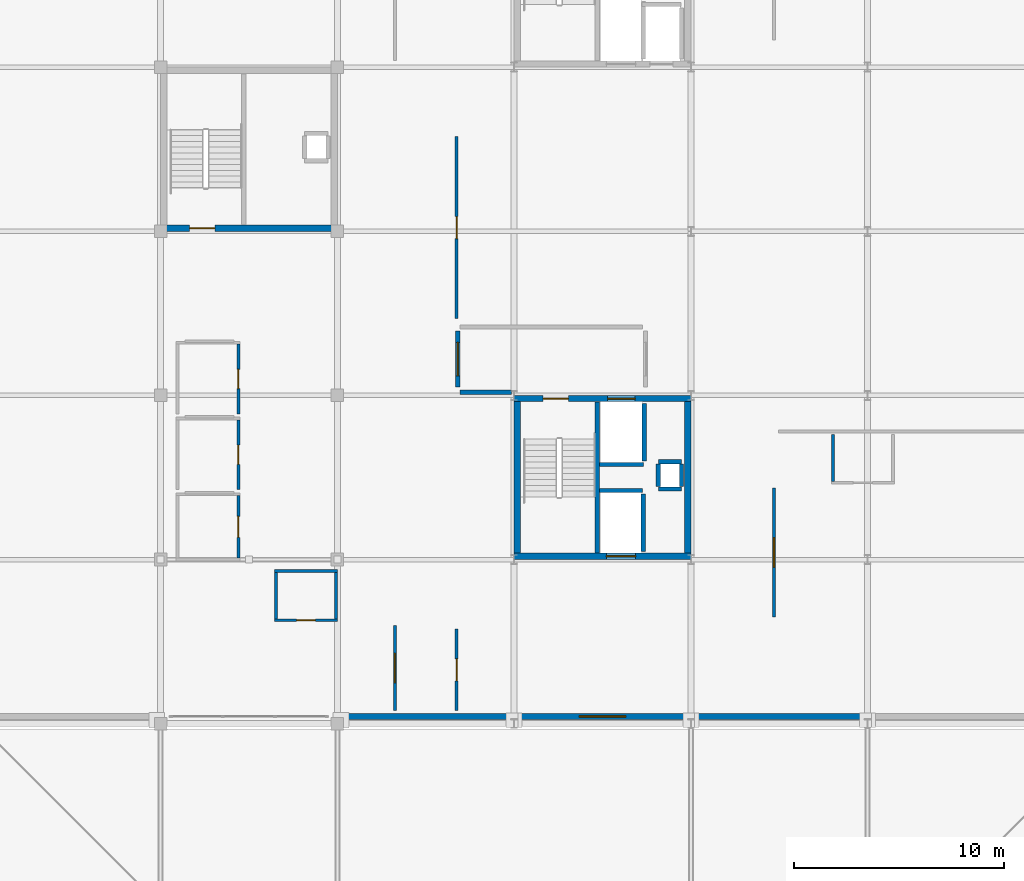
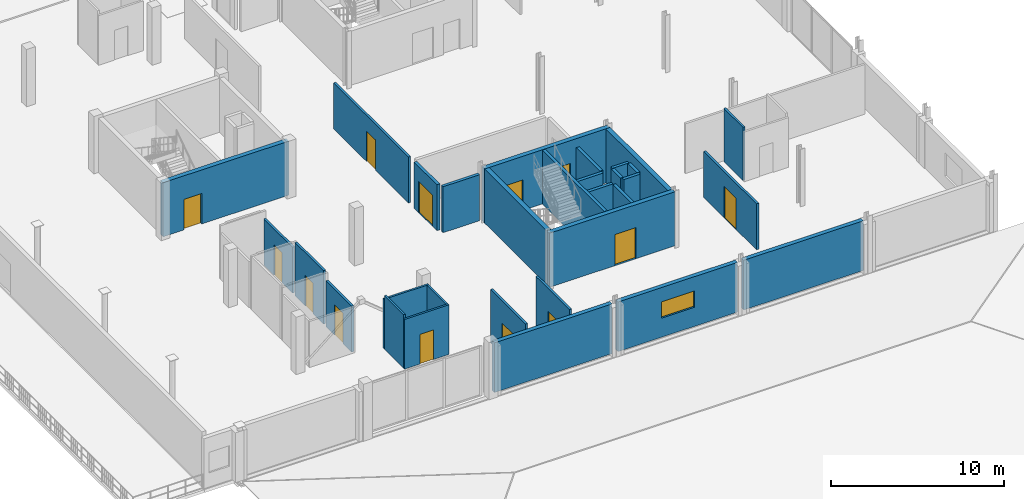
# One storey, part 16 of 25: 31 walls, 13 doors, 1 window, 14 openings.
"""IFC4 building model written with IfcOpenShell, lengths in metres."""

from ifc_helpers import new_model, si_unit, direction, frame, frame_2d, origin, place, context, subcontext, project, spatial, rectangle, extrude, material, layer, layer_set, type_object, element, fill, save


model = new_model("IFC4")

# Units and contexts
model_context = context("Model", 3, precision=1e-05, world=origin(), true_north=direction((0.0, 1.0)))
body_context = subcontext(model_context, "Body", "Model", "MODEL_VIEW")
ifc_project = project(units=[si_unit("LENGTHUNIT", "METRE"), si_unit("AREAUNIT", "SQUARE_METRE"), si_unit("VOLUMEUNIT", "CUBIC_METRE"), si_unit("PLANEANGLEUNIT", "RADIAN"), si_unit("MASSUNIT", "GRAM", prefix="KILO")], contexts=[model_context])

# Site, building, storey
site_placement = place(None, origin())
site = spatial("IfcSite", under=ifc_project, at=site_placement, CompositionType="ELEMENT")
building_placement = place(site_placement, origin())
building = spatial("IfcBuilding", under=site, at=building_placement, Name="Nabrawat Pavilion Hospital", CompositionType="ELEMENT")
storey_placement = place(building_placement, frame((0.0, 0.0, 22.949951171875)))
storey = spatial("IfcBuildingStorey", under=building, at=storey_placement, Name="L05", CompositionType="ELEMENT", Elevation=22.949951171875)

# Wall, opening, door
ifc_material_1 = material(Name="Gypsum Fireboard on Steel Stud", Category="steel")
ifc_layer_1 = layer(ifc_material_1, 0.14990234375, Name="Gypsum Fireboard on Steel Stud")
ifc_layer_set_1 = layer_set([ifc_layer_1], Name="Gypsum Fireboard on Steel Stud")
wall_type_1 = type_object("IfcWallType", Name="Clinical Corridor Smoke-Barrier Wall 150", PredefinedType="PARTITIONING", material=ifc_layer_set_1)
wall_1_placement = place(storey_placement, frame((154.89990234375, 46.864990234375, 0.0), z_axis=(0.0, 0.0, 1.0), x_axis=(0.0, 1.0, 0.0)))
wall_1 = element("IfcWall", 1, at=wall_1_placement, inside=storey, type_object=wall_type_1, Name="L05 L05 Accessible WC Front Partition", PredefinedType="PARTITIONING", context=body_context, shape_type="SweptSolid", body=[
    extrude(rectangle(XDim=2.969970703125, YDim=0.14990234375, at=frame_2d((1.48486328125, 0.0))), origin(), (0.0, 0.0, 1.0), 3.25),
])
opening_1_placement = place(wall_1_placement, frame((0.985107421875, 0.0, 0.0)))
opening_1 = element("IfcOpeningElement", 2, at=opening_1_placement, cuts=wall_1, Name="Opening D-WC-ACC", PredefinedType="OPENING", context=body_context, shape_type="SweptSolid", body=[
    extrude(rectangle(XDim=1.0, YDim=2.14990234375, at=frame_2d((0.5, 1.074951171875))), frame((0.0, 0.0849609375, 0.0), z_axis=(0.0, -1.0, 0.0), x_axis=(1.0, 0.0, 0.0)), (0.0, 0.0, 1.0), 0.169921875),
])
ifc_material_2 = material(Name="Stainless-Clad Acoustic Timber and Vision Glass", Category="wood")
door_type_1 = type_object("IfcDoorType", Name="Accessible Washroom Outward Door 1000x2150", OperationType="NOTDEFINED", PredefinedType="DOOR", material=ifc_material_2)
door_1_placement = place(opening_1_placement, origin())
door_1 = element("IfcDoor", 3, at=door_1_placement, inside=storey, type_object=door_type_1, Name="L05 Accessible WC Door", OperationType="SINGLE_SWING_LEFT", OverallHeight=2.14990234375, OverallWidth=1.0, PredefinedType="DOOR", context=body_context, shape_type="SweptSolid", body=[
    extrude(rectangle(XDim=1.0, YDim=2.14990234375, at=frame_2d((0.5, 1.074951171875))), frame((0.0, 0.02490234375, 0.0), z_axis=(0.0, -1.0, 0.0), x_axis=(1.0, 0.0, 0.0)), (0.0, 0.0, 1.0), 0.050048828125),
])
fill(opening_1, door_1)

wall_2_placement = place(storey_placement, frame((154.89990234375, 50.125, 0.0), z_axis=(0.0, 0.0, 1.0), x_axis=(0.0, 1.0, 0.0)))
wall_2 = element("IfcWall", 4, at=wall_2_placement, inside=storey, type_object=wall_type_1, Name="L05 L05 Visitor Female Washroom Front Partition", PredefinedType="PARTITIONING", context=body_context, shape_type="SweptSolid", body=[
    extrude(rectangle(XDim=3.31005859375, YDim=0.14990234375, at=frame_2d((1.655029296875, 0.0))), origin(), (0.0, 0.0, 1.0), 3.77001953125),
])
opening_2_placement = place(wall_2_placement, frame((1.195068359375, 0.0, 0.0)))
opening_2 = element("IfcOpeningElement", 5, at=opening_2_placement, cuts=wall_2, Name="Opening D-WC-STD", PredefinedType="OPENING", context=body_context, shape_type="SweptSolid", body=[
    extrude(rectangle(XDim=0.919921875, YDim=2.14990234375, at=frame_2d((0.4599609375, 1.074951171875))), frame((0.0, 0.0849609375, 0.0), z_axis=(0.0, -1.0, 0.0), x_axis=(1.0, 0.0, 0.0)), (0.0, 0.0, 1.0), 0.169921875),
])
door_type_2 = type_object("IfcDoorType", Name="Washroom Lobby Privacy Door 920x2150", OperationType="NOTDEFINED", PredefinedType="DOOR", material=ifc_material_2)
door_2_placement = place(opening_2_placement, origin())
door_2 = element("IfcDoor", 6, at=door_2_placement, inside=storey, type_object=door_type_2, Name="L05 Visitor Female Washroom Door", OperationType="SINGLE_SWING_RIGHT", OverallHeight=2.14990234375, OverallWidth=0.919921875, PredefinedType="DOOR", context=body_context, shape_type="SweptSolid", body=[
    extrude(rectangle(XDim=0.919921875, YDim=2.14990234375, at=frame_2d((0.4599609375, 1.074951171875))), frame((0.0, 0.02490234375, 0.0), z_axis=(0.0, -1.0, 0.0), x_axis=(1.0, 0.0, 0.0)), (0.0, 0.0, 1.0), 0.050048828125),
])
fill(opening_2, door_2)

wall_3_placement = place(storey_placement, frame((154.89990234375, 53.72509765625, 0.0), z_axis=(0.0, 0.0, 1.0), x_axis=(0.0, 1.0, 0.0)))
wall_3 = element("IfcWall", 7, at=wall_3_placement, inside=storey, type_object=wall_type_1, Name="L05 L05 Visitor Male Washroom Front Partition", PredefinedType="PARTITIONING", context=body_context, shape_type="SweptSolid", body=[
    extrude(rectangle(XDim=3.309814453125, YDim=0.14990234375, at=frame_2d((1.65478515625, 0.0))), origin(), (0.0, 0.0, 1.0), 3.25),
])
opening_3_placement = place(wall_3_placement, frame((1.195068359375, 0.0, 0.0)))
opening_3 = element("IfcOpeningElement", 8, at=opening_3_placement, cuts=wall_3, Name="Opening D-WC-STD", PredefinedType="OPENING", context=body_context, shape_type="SweptSolid", body=[
    extrude(rectangle(XDim=0.919921875, YDim=2.14990234375, at=frame_2d((0.4599609375, 1.074951171875))), frame((0.0, 0.0849609375, 0.0), z_axis=(0.0, -1.0, 0.0), x_axis=(1.0, 0.0, 0.0)), (0.0, 0.0, 1.0), 0.169921875),
])
door_3_placement = place(opening_3_placement, origin())
door_3 = element("IfcDoor", 9, at=door_3_placement, inside=storey, type_object=door_type_2, Name="L05 Visitor Male Washroom Door", OperationType="SINGLE_SWING_LEFT", OverallHeight=2.14990234375, OverallWidth=0.919921875, PredefinedType="DOOR", context=body_context, shape_type="SweptSolid", body=[
    extrude(rectangle(XDim=0.919921875, YDim=2.14990234375, at=frame_2d((0.4599609375, 1.074951171875))), frame((0.0, 0.02490234375, 0.0), z_axis=(0.0, -1.0, 0.0), x_axis=(1.0, 0.0, 0.0)), (0.0, 0.0, 1.0), 0.050048828125),
])
fill(opening_3, door_3)

wall_4_placement = place(storey_placement, frame((162.3349609375, 39.6201171875, 0.0), z_axis=(0.0, 0.0, 1.0), x_axis=(0.0, 1.0, 0.0)))
wall_4 = element("IfcWall", 10, at=wall_4_placement, inside=storey, type_object=wall_type_1, Name="L05 Inpatient Ward Haematology Single Bedroom L05-01 Front Partition", PredefinedType="PARTITIONING", context=body_context, shape_type="SweptSolid", body=[
    extrude(rectangle(XDim=4.0498046875, YDim=0.14990234375, at=frame_2d((2.02490234375, 0.0))), origin(), (0.0, 0.0, 1.0), 3.77001953125),
])
opening_4_placement = place(wall_4_placement, frame((1.324951171875, 0.0, 0.0)))
opening_4 = element("IfcOpeningElement", 11, at=opening_4_placement, cuts=wall_4, Name="Opening D-BED", PredefinedType="OPENING", context=body_context, shape_type="SweptSolid", body=[
    extrude(rectangle(XDim=1.39990234375, YDim=2.199951171875, at=frame_2d((0.699951171875, 1.10009765625))), frame((0.0, 0.0849609375, 0.0), z_axis=(0.0, -1.0, 0.0), x_axis=(1.0, 0.0, 0.0)), (0.0, 0.0, 1.0), 0.169921875),
])
door_type_3 = type_object("IfcDoorType", Name="D-BED Inpatient Ward Leaf-and-a-Half Door 1400x2200", OperationType="NOTDEFINED", PredefinedType="DOOR", material=ifc_material_2)
door_4_placement = place(opening_4_placement, origin())
door_4 = element("IfcDoor", 12, at=door_4_placement, inside=storey, type_object=door_type_3, Name="Inpatient Ward Haematology Single Bedroom L05-01 Door", OperationType="SINGLE_SWING_RIGHT", OverallHeight=2.199951171875, OverallWidth=1.39990234375, PredefinedType="DOOR", context=body_context, shape_type="SweptSolid", body=[
    extrude(rectangle(XDim=1.39990234375, YDim=2.199951171875, at=frame_2d((0.699951171875, 1.10009765625))), frame((0.0, 0.02490234375, 0.0), z_axis=(0.0, -1.0, 0.0), x_axis=(1.0, 0.0, 0.0)), (0.0, 0.0, 1.0), 0.050048828125),
])
fill(opening_4, door_4)

wall_5_placement = place(storey_placement, frame((165.264892578125, 39.6201171875, 0.0), z_axis=(0.0, 0.0, 1.0), x_axis=(0.0, 1.0, 0.0)))
wall_5 = element("IfcWall", 13, at=wall_5_placement, inside=storey, type_object=wall_type_1, Name="L05 Patient Quiet Terrace Dayroom L05-03 Front Partition", PredefinedType="PARTITIONING", context=body_context, shape_type="SweptSolid", body=[
    extrude(rectangle(XDim=3.8798828125, YDim=0.14990234375, at=frame_2d((1.93994140625, 0.0))), origin(), (0.0, 0.0, 1.0), 3.77001953125),
])
opening_5_placement = place(wall_5_placement, frame((1.4150390625, 0.0, 0.0)))
opening_5 = element("IfcOpeningElement", 14, at=opening_5_placement, cuts=wall_5, Name="Opening D-OPC-L", PredefinedType="OPENING", context=body_context, shape_type="SweptSolid", body=[
    extrude(rectangle(XDim=1.050048828125, YDim=2.14990234375, at=frame_2d((0.52490234375, 1.074951171875))), frame((0.0, 0.0849609375, 0.0), z_axis=(0.0, -1.0, 0.0), x_axis=(1.0, 0.0, 0.0)), (0.0, 0.0, 1.0), 0.169921875),
])
door_type_4 = type_object("IfcDoorType", Name="Outpatient Clinic Consultation Door L 1050x2150", OperationType="NOTDEFINED", PredefinedType="DOOR", material=ifc_material_2)
door_5_placement = place(opening_5_placement, origin())
door_5 = element("IfcDoor", 15, at=door_5_placement, inside=storey, type_object=door_type_4, Name="Patient Quiet Terrace Dayroom L05-03 Door", OperationType="SINGLE_SWING_RIGHT", OverallHeight=2.14990234375, OverallWidth=1.050048828125, PredefinedType="DOOR", context=body_context, shape_type="SweptSolid", body=[
    extrude(rectangle(XDim=1.050048828125, YDim=2.14990234375, at=frame_2d((0.52490234375, 1.074951171875))), frame((0.0, 0.02490234375, 0.0), z_axis=(0.0, -1.0, 0.0), x_axis=(1.0, 0.0, 0.0)), (0.0, 0.0, 1.0), 0.050048828125),
])
fill(opening_5, door_5)

wall_6_placement = place(storey_placement, frame((165.264892578125, 58.25, 0.0), z_axis=(0.0, 0.0, 1.0), x_axis=(0.0, 1.0, 0.0)))
wall_6 = element("IfcWall", 16, at=wall_6_placement, inside=storey, type_object=wall_type_1, Name="L05 South Haematology Nurse Station L05-04 Front Partition", PredefinedType="PARTITIONING", context=body_context, shape_type="SweptSolid", body=[
    extrude(rectangle(XDim=8.64990234375, YDim=0.14990234375, at=frame_2d((4.324951171875, 0.0))), origin(), (0.0, 0.0, 1.0), 3.25),
])
opening_6_placement = place(wall_6_placement, frame((3.800048828125, 0.0, 0.0)))
opening_6 = element("IfcOpeningElement", 17, at=opening_6_placement, cuts=wall_6, Name="Opening D-OPC-R", PredefinedType="OPENING", context=body_context, shape_type="SweptSolid", body=[
    extrude(rectangle(XDim=1.050048828125, YDim=2.14990234375, at=frame_2d((0.52490234375, 1.074951171875))), frame((0.0, 0.0849609375, 0.0), z_axis=(0.0, -1.0, 0.0), x_axis=(1.0, 0.0, 0.0)), (0.0, 0.0, 1.0), 0.169921875),
])
door_type_5 = type_object("IfcDoorType", Name="Outpatient Clinic Consultation Door R 1050x2150", OperationType="NOTDEFINED", PredefinedType="DOOR", material=ifc_material_2)
door_6_placement = place(opening_6_placement, origin())
door_6 = element("IfcDoor", 18, at=door_6_placement, inside=storey, type_object=door_type_5, Name="South Haematology Nurse Station L05-04 Door", OperationType="SINGLE_SWING_LEFT", OverallHeight=2.14990234375, OverallWidth=1.050048828125, PredefinedType="DOOR", context=body_context, shape_type="SweptSolid", body=[
    extrude(rectangle(XDim=1.050048828125, YDim=2.14990234375, at=frame_2d((0.52490234375, 1.074951171875))), frame((0.0, 0.02490234375, 0.0), z_axis=(0.0, -1.0, 0.0), x_axis=(1.0, 0.0, 0.0)), (0.0, 0.0, 1.0), 0.050048828125),
])
fill(opening_6, door_6)

wall_7_placement = place(storey_placement, frame((180.35009765625, 44.080078125, 0.0), z_axis=(0.0, 0.0, 1.0), x_axis=(0.0, 1.0, 0.0)))
wall_7 = element("IfcWall", 19, at=wall_7_placement, inside=storey, type_object=wall_type_1, Name="L05 Inpatient Ward Oncology Boulevard Suite L05-E1 Front Partition", PredefinedType="PARTITIONING", context=body_context, shape_type="SweptSolid", body=[
    extrude(rectangle(XDim=6.1298828125, YDim=0.14990234375, at=frame_2d((3.06494140625, 0.0))), origin(), (0.0, 0.0, 1.0), 3.25),
])
opening_7_placement = place(wall_7_placement, frame((2.364990234375, 0.0, 0.0)))
opening_7 = element("IfcOpeningElement", 20, at=opening_7_placement, cuts=wall_7, Name="Opening D-BED", PredefinedType="OPENING", context=body_context, shape_type="SweptSolid", body=[
    extrude(rectangle(XDim=1.39990234375, YDim=2.199951171875, at=frame_2d((0.699951171875, 1.10009765625))), frame((0.0, 0.0849609375, 0.0), z_axis=(0.0, -1.0, 0.0), x_axis=(1.0, 0.0, 0.0)), (0.0, 0.0, 1.0), 0.169921875),
])
door_7_placement = place(opening_7_placement, origin())
door_7 = element("IfcDoor", 21, at=door_7_placement, inside=storey, type_object=door_type_3, Name="Inpatient Ward Oncology Boulevard Suite L05-E1 Door", OperationType="SINGLE_SWING_RIGHT", OverallHeight=2.199951171875, OverallWidth=1.39990234375, PredefinedType="DOOR", context=body_context, shape_type="SweptSolid", body=[
    extrude(rectangle(XDim=1.39990234375, YDim=2.199951171875, at=frame_2d((0.699951171875, 1.10009765625))), frame((0.0, 0.02490234375, 0.0), z_axis=(0.0, -1.0, 0.0), x_axis=(1.0, 0.0, 0.0)), (0.0, 0.0, 1.0), 0.050048828125),
])
fill(opening_7, door_7)

ifc_material_3 = material(Name="Cement Board on Steel Stud", Category="steel")
ifc_layer_2 = layer(ifc_material_3, 0.1298828125, Name="Cement Board on Steel Stud")
ifc_layer_set_2 = layer_set([ifc_layer_2], Name="Cement Board on Steel Stud")
wall_type_2 = type_object("IfcWallType", Name="En-Suite Moisture-Resistant Partition 130", PredefinedType="PARTITIONING", material=ifc_layer_set_2)
wall_8_placement = place(storey_placement, frame((156.6201171875, 43.909912109375, 0.0), z_axis=(0.0, 0.0, 1.0), x_axis=(1.0, 0.0, 0.0)))
wall_8 = element("IfcWall", 22, at=wall_8_placement, inside=storey, type_object=wall_type_2, Name="L05 En-Suite Bathroom WRD-HEM-01 Front Partition", PredefinedType="PARTITIONING", context=body_context, shape_type="SweptSolid", body=[
    extrude(rectangle(XDim=2.97998046875, YDim=0.1298828125, at=frame_2d((1.489990234375, 0.0))), origin(), (0.0, 0.0, 1.0), 3.510009765625),
])
opening_8_placement = place(wall_8_placement, frame((1.0400390625, 0.0, 0.0)))
opening_8 = element("IfcOpeningElement", 23, at=opening_8_placement, cuts=wall_8, Name="Opening D-ENS-R", PredefinedType="OPENING", context=body_context, shape_type="SweptSolid", body=[
    extrude(rectangle(XDim=0.89990234375, YDim=2.10009765625, at=frame_2d((0.449951171875, 1.050048828125))), frame((0.0, 0.074951171875, 0.0), z_axis=(0.0, -1.0, 0.0), x_axis=(1.0, 0.0, 0.0)), (0.0, 0.0, 1.0), 0.14990234375),
])
door_type_6 = type_object("IfcDoorType", Name="En-Suite Bathroom Outward Door R 900x2100", OperationType="NOTDEFINED", PredefinedType="DOOR", material=ifc_material_2)
door_8_placement = place(opening_8_placement, origin())
door_8 = element("IfcDoor", 24, at=door_8_placement, inside=storey, type_object=door_type_6, Name="En-Suite Bathroom WRD-HEM-01 Door", OperationType="SINGLE_SWING_LEFT", OverallHeight=2.10009765625, OverallWidth=0.89990234375, PredefinedType="DOOR", context=body_context, shape_type="SweptSolid", body=[
    extrude(rectangle(XDim=0.89990234375, YDim=2.10009765625, at=frame_2d((0.449951171875, 1.050048828125))), frame((0.0, 0.02490234375, 0.0), z_axis=(0.0, -1.0, 0.0), x_axis=(1.0, 0.0, 0.0)), (0.0, 0.0, 1.0), 0.050048828125),
])
fill(opening_8, door_8)

# Walls
wall_9_placement = place(storey_placement, frame((156.6201171875, 46.260009765625, 0.0), z_axis=(0.0, 0.0, 1.0), x_axis=(1.0, 0.0, 0.0)))
element("IfcWall", 25, at=wall_9_placement, inside=storey, type_object=wall_type_2, Name="L05 En-Suite Bathroom WRD-HEM-01 North Partition", PredefinedType="PARTITIONING", context=body_context, shape_type="SweptSolid", body=[
    extrude(rectangle(XDim=2.97998046875, YDim=0.1298828125, at=frame_2d((1.489990234375, 0.0))), origin(), (0.0, 0.0, 1.0), 3.510009765625),
])
wall_10_placement = place(storey_placement, frame((156.68505859375, 43.97509765625, 0.0), z_axis=(0.0, 0.0, 1.0), x_axis=(0.0, 1.0, 0.0)))
element("IfcWall", 26, at=wall_10_placement, inside=storey, type_object=wall_type_2, Name="L05 En-Suite Bathroom WRD-HEM-01 West Partition", PredefinedType="PARTITIONING", context=body_context, shape_type="SweptSolid", body=[
    extrude(rectangle(XDim=2.219970703125, YDim=0.1298828125, at=frame_2d((1.10986328125, 0.0))), origin(), (0.0, 0.0, 1.0), 3.77001953125),
])
wall_11_placement = place(storey_placement, frame((159.534912109375, 43.97509765625, 0.0), z_axis=(0.0, 0.0, 1.0), x_axis=(0.0, 1.0, 0.0)))
element("IfcWall", 27, at=wall_11_placement, inside=storey, type_object=wall_type_2, Name="L05 En-Suite Bathroom WRD-HEM-01 East Partition", PredefinedType="PARTITIONING", context=body_context, shape_type="SweptSolid", body=[
    extrude(rectangle(XDim=2.219970703125, YDim=0.1298828125, at=frame_2d((1.10986328125, 0.0))), origin(), (0.0, 0.0, 1.0), 3.510009765625),
])
wall_12_placement = place(storey_placement, frame((183.14990234375, 50.514892578125, 0.0), z_axis=(0.0, 0.0, 1.0), x_axis=(0.0, 1.0, 0.0)))
element("IfcWall", 28, at=wall_12_placement, inside=storey, type_object=wall_type_2, Name="L05 En-Suite Bathroom WRD-ONC-E1 West Partition", PredefinedType="PARTITIONING", context=body_context, shape_type="SweptSolid", body=[
    extrude(rectangle(XDim=2.22021484375, YDim=0.1298828125, at=frame_2d((1.110107421875, 0.0))), origin(), (0.0, 0.0, 1.0), 3.77001953125),
])
ifc_material_4 = material(Name="Concrete C35/45", Category="concrete")
ifc_layer_3 = layer(ifc_material_4, 0.199951171875, Name="Concrete C35/45")
ifc_layer_set_3 = layer_set([ifc_layer_3], Name="Concrete C35/45")
wall_type_3 = type_object("IfcWallType", Name="Firefighting Lobby Compartment Wall 200", PredefinedType="PARTITIONING", material=ifc_layer_set_3)
wall_13_placement = place(storey_placement, frame((165.43994140625, 54.75, 0.0), z_axis=(0.0, 0.0, 1.0), x_axis=(1.0, 0.0, 0.0)))
element("IfcWall", 29, at=wall_13_placement, inside=storey, type_object=wall_type_3, Name="L05 CORE-5 Firefighting Lobby South Return Wall", PredefinedType="PARTITIONING", context=body_context, shape_type="SweptSolid", body=[
    extrude(rectangle(XDim=2.43994140625, YDim=0.199951171875, at=frame_2d((1.219970703125, 0.0))), origin(), (0.0, 0.0, 1.0), 3.25),
])

# Wall, opening, door
wall_14_placement = place(storey_placement, frame((165.320068359375, 55.0, 0.0), z_axis=(0.0, 0.0, 1.0), x_axis=(0.0, 1.0, 0.0)))
wall_14 = element("IfcWall", 30, at=wall_14_placement, inside=storey, type_object=wall_type_3, Name="L05 CORE-5 Firefighting Lobby West Compartment Wall", PredefinedType="PARTITIONING", context=body_context, shape_type="SweptSolid", body=[
    extrude(rectangle(XDim=2.64990234375, YDim=0.199951171875, at=frame_2d((1.324951171875, 0.0))), origin(), (0.0, 0.0, 1.0), 3.25),
])
opening_9_placement = place(wall_14_placement, frame((0.52490234375, 0.0, 0.0)))
opening_9 = element("IfcOpeningElement", 31, at=opening_9_placement, cuts=wall_14, Name="Opening D-FFL", PredefinedType="OPENING", context=body_context, shape_type="SweptSolid", body=[
    extrude(rectangle(XDim=1.60009765625, YDim=2.199951171875, at=frame_2d((0.800048828125, 1.10009765625))), frame((0.0, 0.10986328125, 0.0), z_axis=(0.0, -1.0, 0.0), x_axis=(1.0, 0.0, 0.0)), (0.0, 0.0, 1.0), 0.219970703125),
])
door_type_7 = type_object("IfcDoorType", Name="D-FFL Firefighting Lobby Double Smoke Door 1600x2200", OperationType="NOTDEFINED", PredefinedType="DOOR", material=ifc_material_2)
door_9_placement = place(opening_9_placement, origin())
door_9 = element("IfcDoor", 32, at=door_9_placement, inside=storey, type_object=door_type_7, Name="L05 CORE-5 Firefighting Lobby West Smoke Door", OperationType="DOUBLE_DOOR_SINGLE_SWING", OverallHeight=2.199951171875, OverallWidth=1.60009765625, PredefinedType="DOOR", context=body_context, shape_type="SweptSolid", body=[
    extrude(rectangle(XDim=1.60009765625, YDim=2.199951171875, at=frame_2d((0.800048828125, 1.10009765625))), frame((0.0, 0.02490234375, 0.0), z_axis=(0.0, -1.0, 0.0), x_axis=(1.0, 0.0, 0.0)), (0.0, 0.0, 1.0), 0.050048828125),
])
fill(opening_9, door_9)

# Wall
ifc_material_5 = material(Name="Precast concrete C40/50", Category="concrete")
ifc_layer_4 = layer(ifc_material_5, 0.280029296875, Name="Precast concrete C40/50")
ifc_layer_set_4 = layer_set([ifc_layer_4], Name="Precast concrete C40/50")
wall_type_4 = type_object("IfcWallType", Name="Insulated Precast Facade Wall 280", PredefinedType="SOLIDWALL", material=ifc_layer_set_4)
wall_15_placement = place(storey_placement, frame((159.949951171875, 39.340087890625, 0.0), z_axis=(0.0, 0.0, 1.0), x_axis=(1.0, 0.0, 0.0)))
element("IfcWall", 33, at=wall_15_placement, inside=storey, type_object=wall_type_4, Name="L05 Insulated Precast Facade Wall 280 385", PredefinedType="SOLIDWALL", context=body_context, shape_type="SweptSolid", body=[
    extrude(rectangle(XDim=7.85009765625, YDim=0.280029296875, at=frame_2d((3.925048828125, 0.0))), origin(), (0.0, 0.0, 1.0), 3.510009765625),
])

# Wall, opening, window
wall_16_placement = place(storey_placement, frame((168.199951171875, 39.340087890625, 0.0), z_axis=(0.0, 0.0, 1.0), x_axis=(1.0, 0.0, 0.0)))
wall_16 = element("IfcWall", 34, at=wall_16_placement, inside=storey, type_object=wall_type_4, Name="L05 Insulated Precast Facade Wall 280 386", PredefinedType="SOLIDWALL", context=body_context, shape_type="SweptSolid", body=[
    extrude(rectangle(XDim=8.0, YDim=0.280029296875, at=frame_2d((4.0, 0.0))), origin(), (0.0, 0.0, 1.0), 3.510009765625),
])
opening_10_placement = place(wall_16_placement, frame((2.89990234375, 0.0, 1.35009765625)))
opening_10 = element("IfcOpeningElement", 35, at=opening_10_placement, cuts=wall_16, Name="Opening WN-11", PredefinedType="OPENING", context=body_context, shape_type="SweptSolid", body=[
    extrude(rectangle(XDim=2.199951171875, YDim=1.14990234375, at=frame_2d((1.10009765625, 0.574951171875))), frame((0.0, 0.14990234375, 0.0), z_axis=(0.0, -1.0, 0.0), x_axis=(1.0, 0.0, 0.0)), (0.0, 0.0, 1.0), 0.300048828125),
])
ifc_material_6 = material(Name="Thermally Broken Aluminium and Solar Glass", Category="aluminium")
window_type = type_object("IfcWindowType", Name="Diagnostic Laboratory Clerestory 2200x1150", PartitioningType="SINGLE_PANEL", PredefinedType="WINDOW", material=ifc_material_6)
window_placement = place(opening_10_placement, origin())
window = element("IfcWindow", 36, at=window_placement, inside=storey, type_object=window_type, Name="L05 Diagnostic Laboratory Clerestory 2200x1150 139", OverallHeight=1.14990234375, OverallWidth=2.199951171875, PartitioningType="SINGLE_PANEL", PredefinedType="WINDOW", context=body_context, shape_type="SweptSolid", body=[
    extrude(rectangle(XDim=2.199951171875, YDim=1.14990234375, at=frame_2d((1.10009765625, 0.574951171875))), frame((0.0, 0.030029296875, 0.0), z_axis=(0.0, -1.0, 0.0), x_axis=(1.0, 0.0, 0.0)), (0.0, 0.0, 1.0), 0.06005859375),
])
fill(opening_10, window)

# Walls
wall_17_placement = place(storey_placement, frame((176.60009765625, 39.340087890625, 0.0), z_axis=(0.0, 0.0, 1.0), x_axis=(1.0, 0.0, 0.0)))
element("IfcWall", 37, at=wall_17_placement, inside=storey, type_object=wall_type_4, Name="L05 Insulated Precast Facade Wall 280 387", PredefinedType="SOLIDWALL", context=body_context, shape_type="SweptSolid", body=[
    extrude(rectangle(XDim=8.0, YDim=0.280029296875, at=frame_2d((4.0, 0.0))), origin(), (0.0, 0.0, 1.0), 3.510009765625),
])
ifc_layer_5 = layer(ifc_material_4, 0.199951171875, Name="Concrete C35/45")
ifc_layer_set_5 = layer_set([ifc_layer_5], Name="Concrete C35/45")
wall_type_5 = type_object("IfcWallType", Name="Lift and Riser Fire Shaft Wall 200", PredefinedType="PARTITIONING", material=ifc_layer_set_5)
wall_18_placement = place(storey_placement, frame((171.949951171875, 47.1201171875, 0.0), z_axis=(0.0, 0.0, 1.0), x_axis=(0.0, 1.0, 0.0)))
element("IfcWall", 38, at=wall_18_placement, inside=storey, type_object=wall_type_5, Name="L05 CORE-5 Stair-Lift Dividing Shear Wall", PredefinedType="SHEAR", context=body_context, shape_type="SweptSolid", body=[
    extrude(rectangle(XDim=7.159912109375, YDim=0.199951171875, at=frame_2d((3.580078125, 0.0))), origin(), (0.0, 0.0, 1.0), 3.820068359375),
])
for number, where, z_axis, x_axis, name in (
    (39, (174.85009765625, 50.14990234375, 0.0), (0.0, 0.0, 1.0), (1.0, 0.0, 0.0), "L05 CORE-5 MEP Riser Shaft Wall S"),
    (40, (174.85009765625, 51.449951171875, 0.0), (0.0, 0.0, 1.0), (1.0, 0.0, 0.0), "L05 CORE-5 MEP Riser Shaft Wall N"),
):
    element("IfcWall", number, at=place(storey_placement, frame(where, z_axis=z_axis, x_axis=x_axis)), inside=storey, type_object=wall_type_5, Name=name, PredefinedType="PARTITIONING", context=body_context, shape_type="SweptSolid", body=[
        extrude(rectangle(XDim=1.099853515625, YDim=0.199951171875, at=frame_2d((0.5498046875, 0.0))), origin(), (0.0, 0.0, 1.0), 3.25),
    ])
for number, where, z_axis, x_axis, name in (
    (41, (174.85009765625, 50.27001953125, 0.0), (0.0, 0.0, 1.0), (0.0, 1.0, 0.0), "L05 CORE-5 MEP Riser Shaft Wall W"),
    (42, (175.949951171875, 50.27001953125, 0.0), (0.0, 0.0, 1.0), (0.0, 1.0, 0.0), "L05 CORE-5 MEP Riser Shaft Wall E"),
):
    element("IfcWall", number, at=place(storey_placement, frame(where, z_axis=z_axis, x_axis=x_axis)), inside=storey, type_object=wall_type_5, Name=name, PredefinedType="PARTITIONING", context=body_context, shape_type="SweptSolid", body=[
        extrude(rectangle(XDim=1.06005859375, YDim=0.199951171875, at=frame_2d((0.530029296875, 0.0))), origin(), (0.0, 0.0, 1.0), 3.25),
    ])
wall_19_placement = place(storey_placement, frame((174.179931640625, 51.47998046875, 0.0), z_axis=(0.0, 0.0, 1.0), x_axis=(0.0, 1.0, 0.0)))
element("IfcWall", 43, at=wall_19_placement, inside=storey, type_object=wall_type_5, Name="L05 Lift LF-01 Shaft East Wall", PredefinedType="PARTITIONING", context=body_context, shape_type="SweptSolid", body=[
    extrude(rectangle(XDim=2.739990234375, YDim=0.199951171875, at=frame_2d((1.3701171875, 0.0))), origin(), (0.0, 0.0, 1.0), 3.25),
])
wall_20_placement = place(storey_placement, frame((172.050048828125, 51.320068359375, 0.0), z_axis=(0.0, 0.0, 1.0), x_axis=(1.0, 0.0, 0.0)))
element("IfcWall", 44, at=wall_20_placement, inside=storey, type_object=wall_type_5, Name="L05 Lift LF-01 Shaft Back Wall", PredefinedType="PARTITIONING", context=body_context, shape_type="SweptSolid", body=[
    extrude(rectangle(XDim=2.099853515625, YDim=0.199951171875, at=frame_2d((1.0498046875, 0.0))), origin(), (0.0, 0.0, 1.0), 3.25),
])
wall_21_placement = place(storey_placement, frame((174.139892578125, 47.179931640625, 0.0), z_axis=(0.0, 0.0, 1.0), x_axis=(0.0, 1.0, 0.0)))
element("IfcWall", 45, at=wall_21_placement, inside=storey, type_object=wall_type_5, Name="L05 Lift LB-03 Shaft East Wall", PredefinedType="PARTITIONING", context=body_context, shape_type="SweptSolid", body=[
    extrude(rectangle(XDim=2.739990234375, YDim=0.199951171875, at=frame_2d((1.3701171875, 0.0))), origin(), (0.0, 0.0, 1.0), 3.25),
])
wall_22_placement = place(storey_placement, frame((172.050048828125, 50.080078125, 0.0), z_axis=(0.0, 0.0, 1.0), x_axis=(1.0, 0.0, 0.0)))
element("IfcWall", 46, at=wall_22_placement, inside=storey, type_object=wall_type_5, Name="L05 Lift LB-03 Shaft Back Wall", PredefinedType="PARTITIONING", context=body_context, shape_type="SweptSolid", body=[
    extrude(rectangle(XDim=2.06005859375, YDim=0.199951171875, at=frame_2d((1.030029296875, 0.0))), origin(), (0.0, 0.0, 1.0), 3.25),
])

# Wall, opening, door
ifc_material_7 = material(Name="Concrete C40/50", Category="concrete")
ifc_layer_6 = layer(ifc_material_7, 0.300048828125, Name="Concrete C40/50")
ifc_layer_set_6 = layer_set([ifc_layer_6], Name="Concrete C40/50")
wall_type_6 = type_object("IfcWallType", Name="Reinforced Concrete Core Shear Wall 300", PredefinedType="SHEAR", material=ifc_layer_set_6)
wall_23_placement = place(storey_placement, frame((168.0, 46.949951171875, 0.0), z_axis=(0.0, 0.0, 1.0), x_axis=(1.0, 0.0, 0.0)))
wall_23 = element("IfcWall", 47, at=wall_23_placement, inside=storey, type_object=wall_type_6, Name="L05 CORE-5 South Core Shear Wall", PredefinedType="SHEAR", context=body_context, shape_type="SweptSolid", body=[
    extrude(rectangle(XDim=8.39990234375, YDim=0.300048828125, at=frame_2d((4.199951171875, 0.0))), origin(), (0.0, 0.0, 1.0), 3.820068359375),
])
opening_11_placement = place(wall_23_placement, frame((4.3798828125, 0.0, 0.0)))
opening_11 = element("IfcOpeningElement", 48, at=opening_11_placement, cuts=wall_23, Name="Opening LD-LB-03", PredefinedType="OPENING", context=body_context, shape_type="SweptSolid", body=[
    extrude(rectangle(XDim=1.39990234375, YDim=2.199951171875, at=frame_2d((0.699951171875, 1.10009765625))), frame((0.0, 0.16015625, 0.0), z_axis=(0.0, -1.0, 0.0), x_axis=(1.0, 0.0, 0.0)), (0.0, 0.0, 1.0), 0.320068359375),
])
door_type_8 = type_object("IfcDoorType", Name="Hospital Bed Lift Sliding Landing Door 1400x2200", OperationType="DOUBLE_DOOR_SLIDING", PredefinedType="DOOR", material=ifc_material_2)
door_10_placement = place(opening_11_placement, origin())
door_10 = element("IfcDoor", 49, at=door_10_placement, inside=storey, type_object=door_type_8, Name="L05 Lift LB-03 Sliding Landing Door", OperationType="DOUBLE_DOOR_SLIDING", OverallHeight=2.199951171875, OverallWidth=1.39990234375, PredefinedType="DOOR", context=body_context, shape_type="SweptSolid", body=[
    extrude(rectangle(XDim=1.39990234375, YDim=2.199951171875, at=frame_2d((0.699951171875, 1.10009765625))), frame((0.0, 0.02490234375, 0.0), z_axis=(0.0, -1.0, 0.0), x_axis=(1.0, 0.0, 0.0)), (0.0, 0.0, 1.0), 0.050048828125),
])
fill(opening_11, door_10)

# Wall, openings, doors
wall_24_placement = place(storey_placement, frame((168.0, 54.449951171875, 0.0), z_axis=(0.0, 0.0, 1.0), x_axis=(1.0, 0.0, 0.0)))
wall_24 = element("IfcWall", 50, at=wall_24_placement, inside=storey, type_object=wall_type_6, Name="L05 CORE-5 North Core Shear Wall", PredefinedType="SHEAR", context=body_context, shape_type="SweptSolid", body=[
    extrude(rectangle(XDim=8.39990234375, YDim=0.300048828125, at=frame_2d((4.199951171875, 0.0))), origin(), (0.0, 0.0, 1.0), 3.820068359375),
])
opening_12_placement = place(wall_24_placement, frame((1.3798828125, 0.0, 0.0)))
opening_12 = element("IfcOpeningElement", 51, at=opening_12_placement, cuts=wall_24, Name="Opening D-STAIR", PredefinedType="OPENING", context=body_context, shape_type="SweptSolid", body=[
    extrude(rectangle(XDim=1.199951171875, YDim=2.14990234375, at=frame_2d((0.60009765625, 1.074951171875))), frame((0.0, 0.16015625, 0.0), z_axis=(0.0, -1.0, 0.0), x_axis=(1.0, 0.0, 0.0)), (0.0, 0.0, 1.0), 0.320068359375),
])
opening_13_placement = place(wall_24_placement, frame((4.449951171875, 0.0, 0.0)))
opening_13 = element("IfcOpeningElement", 52, at=opening_13_placement, cuts=wall_24, Name="Opening LD-LF-01", PredefinedType="OPENING", context=body_context, shape_type="SweptSolid", body=[
    extrude(rectangle(XDim=1.300048828125, YDim=2.199951171875, at=frame_2d((0.64990234375, 1.10009765625))), frame((0.0, 0.16015625, 0.0), z_axis=(0.0, -1.0, 0.0), x_axis=(1.0, 0.0, 0.0)), (0.0, 0.0, 1.0), 0.320068359375),
])
door_type_9 = type_object("IfcDoorType", Name="D-STAIR Exit Stair Fire Door 1200x2150", OperationType="NOTDEFINED", PredefinedType="DOOR", material=ifc_material_2)
door_11_placement = place(opening_12_placement, origin())
door_11 = element("IfcDoor", 53, at=door_11_placement, inside=storey, type_object=door_type_9, Name="L05 ST-05 Fire Exit Stair Door", OperationType="SINGLE_SWING_LEFT", OverallHeight=2.14990234375, OverallWidth=1.199951171875, PredefinedType="DOOR", context=body_context, shape_type="SweptSolid", body=[
    extrude(rectangle(XDim=1.199951171875, YDim=2.14990234375, at=frame_2d((0.60009765625, 1.074951171875))), frame((0.0, 0.02490234375, 0.0), z_axis=(0.0, -1.0, 0.0), x_axis=(1.0, 0.0, 0.0)), (0.0, 0.0, 1.0), 0.050048828125),
])
fill(opening_12, door_11)
door_type_10 = type_object("IfcDoorType", Name="Firefighting Lift Sliding Landing Door 1300x2200", OperationType="DOUBLE_DOOR_SLIDING", PredefinedType="DOOR", material=ifc_material_2)
door_12_placement = place(opening_13_placement, origin())
door_12 = element("IfcDoor", 54, at=door_12_placement, inside=storey, type_object=door_type_10, Name="L05 Lift LF-01 Sliding Landing Door", OperationType="DOUBLE_DOOR_SLIDING", OverallHeight=2.199951171875, OverallWidth=1.300048828125, PredefinedType="DOOR", context=body_context, shape_type="SweptSolid", body=[
    extrude(rectangle(XDim=1.300048828125, YDim=2.199951171875, at=frame_2d((0.64990234375, 1.10009765625))), frame((0.0, 0.02490234375, 0.0), z_axis=(0.0, -1.0, 0.0), x_axis=(1.0, 0.0, 0.0)), (0.0, 0.0, 1.0), 0.050048828125),
])
fill(opening_13, door_12)

# Walls
for number, where, z_axis, x_axis, name in (
    (55, (168.14990234375, 47.10009765625, 0.0), (0.0, 0.0, 1.0), (0.0, 1.0, 0.0), "L05 CORE-5 West Core Shear Wall"),
    (56, (176.25, 47.10009765625, 0.0), (0.0, 0.0, 1.0), (0.0, 1.0, 0.0), "L05 CORE-5 East Core Shear Wall"),
):
    element("IfcWall", number, at=place(storey_placement, frame(where, z_axis=z_axis, x_axis=x_axis)), inside=storey, type_object=wall_type_6, Name=name, PredefinedType="SHEAR", context=body_context, shape_type="SweptSolid", body=[
        extrude(rectangle(XDim=7.199951171875, YDim=0.300048828125, at=frame_2d((3.60009765625, 0.0))), origin(), (0.0, 0.0, 1.0), 3.820068359375),
    ])

# Wall, opening, door
wall_25_placement = place(storey_placement, frame((151.199951171875, 62.550048828125, 0.0), z_axis=(0.0, 0.0, 1.0), x_axis=(1.0, 0.0, 0.0)))
wall_25 = element("IfcWall", 57, at=wall_25_placement, inside=storey, type_object=wall_type_6, Name="L05 CORE-9 South Core Shear Wall", PredefinedType="SHEAR", context=body_context, shape_type="SweptSolid", body=[
    extrude(rectangle(XDim=8.400146484375, YDim=0.300048828125, at=frame_2d((4.2001953125, 0.0))), origin(), (0.0, 0.0, 1.0), 3.820068359375),
])
opening_14_placement = place(wall_25_placement, frame((1.3798828125, 0.0, 0.0)))
opening_14 = element("IfcOpeningElement", 58, at=opening_14_placement, cuts=wall_25, Name="Opening D-STAIR", PredefinedType="OPENING", context=body_context, shape_type="SweptSolid", body=[
    extrude(rectangle(XDim=1.199951171875, YDim=2.14990234375, at=frame_2d((0.60009765625, 1.074951171875))), frame((0.0, 0.16015625, 0.0), z_axis=(0.0, -1.0, 0.0), x_axis=(1.0, 0.0, 0.0)), (0.0, 0.0, 1.0), 0.320068359375),
])
door_13_placement = place(opening_14_placement, origin())
door_13 = element("IfcDoor", 59, at=door_13_placement, inside=storey, type_object=door_type_9, Name="L05 ST-09 Fire Exit Stair Door", OperationType="SINGLE_SWING_RIGHT", OverallHeight=2.14990234375, OverallWidth=1.199951171875, PredefinedType="DOOR", context=body_context, shape_type="SweptSolid", body=[
    extrude(rectangle(XDim=1.199951171875, YDim=2.14990234375, at=frame_2d((0.60009765625, 1.074951171875))), frame((0.0, 0.02490234375, 0.0), z_axis=(0.0, -1.0, 0.0), x_axis=(1.0, 0.0, 0.0)), (0.0, 0.0, 1.0), 0.050048828125),
])
fill(opening_14, door_13)

save(model, "model.ifc")
